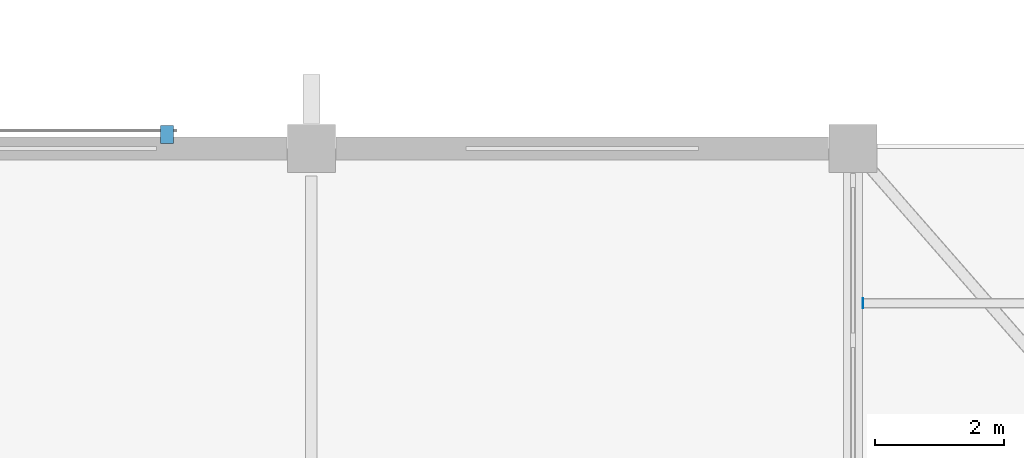
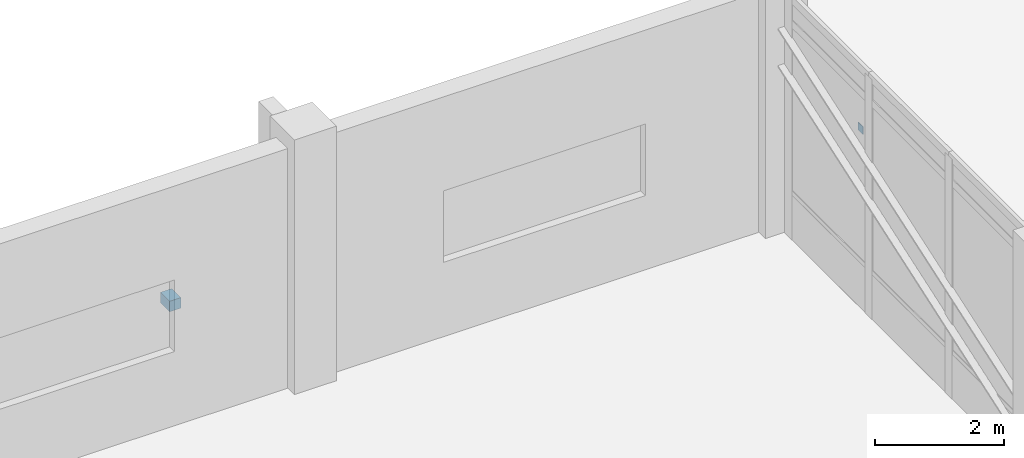
# One storey, part 102 of 110: 2 discrete accessories.
"""IFC4 building model written with IfcOpenShell, lengths in metres."""

from ifc_helpers import new_model, si_unit, direction, frame, origin, origin_2d, place, context, subcontext, project, spatial, rectangle, extrude, material, type_object, element, save


model = new_model("IFC4")

# Units and contexts
model_context = context("Model", 3, precision=1e-05, world=origin(), true_north=direction((0.0, 1.0)))
body_context = subcontext(model_context, "Body", "Model", "MODEL_VIEW")
ifc_project = project(units=[si_unit("LENGTHUNIT", "METRE"), si_unit("AREAUNIT", "SQUARE_METRE"), si_unit("VOLUMEUNIT", "CUBIC_METRE"), si_unit("PLANEANGLEUNIT", "RADIAN"), si_unit("MASSUNIT", "GRAM", prefix="KILO")], contexts=[model_context])

# Site, building, storey
site_placement = place(None, origin())
site = spatial("IfcSite", under=ifc_project, at=site_placement, CompositionType="ELEMENT")
building_placement = place(site_placement, origin())
building = spatial("IfcBuilding", under=site, at=building_placement, Name="Qawsi Khor Wholesale Market", CompositionType="ELEMENT")
storey_placement = place(building_placement, frame((0.0, 0.0, 11.39990234375)))
storey = spatial("IfcBuildingStorey", under=building, at=storey_placement, Name="L02", CompositionType="ELEMENT", Elevation=11.39990234375)

# Discrete accessories
ifc_material = material(Name="Steel S355", Category="steel")
discrete_accessory_type_1 = type_object("IfcDiscreteAccessoryType", Name="Purlin End Cleat Plate 12 S355", PredefinedType="BRACKET", material=ifc_material)
discrete_accessory_1_placement = place(storey_placement, frame((75.756103515625, 106.800048828125, 3.050048828125), z_axis=(0.0, 0.0, 1.0), x_axis=(1.0, 0.0, 0.0)))
element("IfcDiscreteAccessory", 1, at=discrete_accessory_1_placement, inside=storey, type_object=discrete_accessory_type_1, Name="Auction roof purlin 10-4 end cleat W", PredefinedType="BRACKET", context=body_context, shape_type="SweptSolid", body=[
    extrude(rectangle(XDim=0.011962890625, YDim=0.14990234375, at=origin_2d()), origin(), (0.0, 0.0, 1.0), 0.14990234375),
])
discrete_accessory_type_2 = type_object("IfcDiscreteAccessoryType", Name="Screen Fixing Bracket Steel S355", PredefinedType="BRACKET", material=ifc_material)
discrete_accessory_2_placement = place(storey_placement, frame((64.9599609375, 109.4150390625, 1.97509765625), z_axis=(0.0, 0.0, 1.0), x_axis=(1.0, 0.0, 0.0)))
element("IfcDiscreteAccessory", 2, at=discrete_accessory_2_placement, inside=storey, type_object=discrete_accessory_type_2, Name="Screen bracket 088-2", PredefinedType="BRACKET", context=body_context, shape_type="SweptSolid", body=[
    extrude(rectangle(XDim=0.199951171875, YDim=0.280029296875, at=origin_2d()), origin(), (0.0, 0.0, 1.0), 0.199951171875),
])

save(model, "model.ifc")
